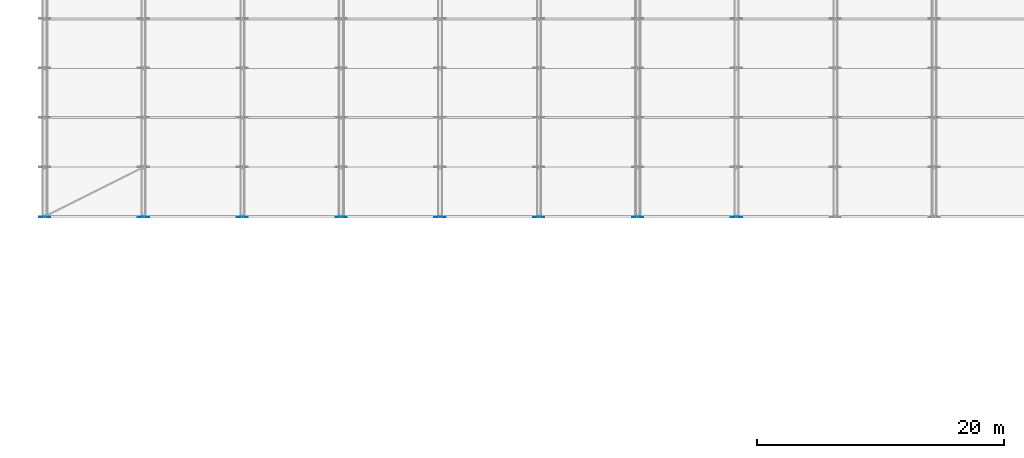
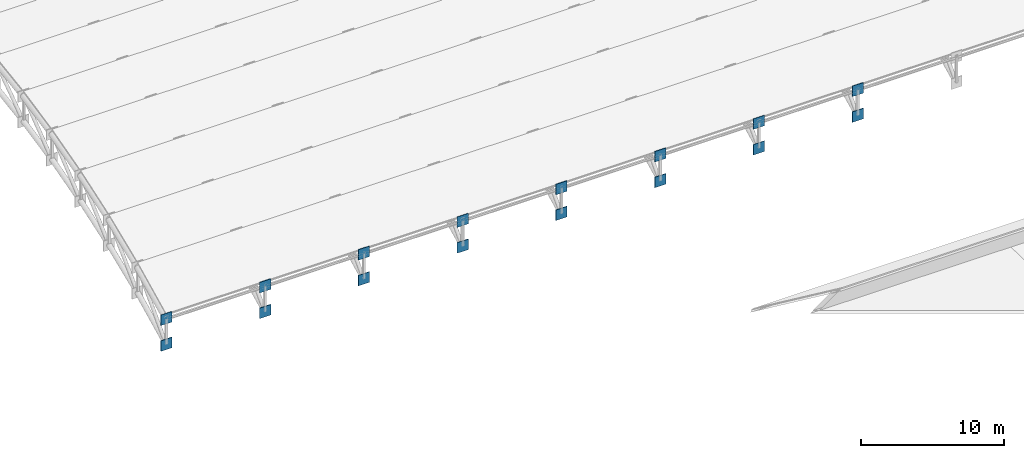
# One storey, part 57 of 98: 16 plates.
"""IFC4 building model written with IfcOpenShell, lengths in metres."""

from ifc_helpers import new_model, si_unit, direction, frame, origin, origin_2d, place, context, subcontext, project, spatial, rectangle, extrude, material, layer, layer_set, type_object, element, save


model = new_model("IFC4")

# Units and contexts
model_context = context("Model", 3, precision=1e-05, world=origin(), true_north=direction((0.0, 1.0)))
body_context = subcontext(model_context, "Body", "Model", "MODEL_VIEW")
ifc_project = project(units=[si_unit("LENGTHUNIT", "METRE"), si_unit("AREAUNIT", "SQUARE_METRE"), si_unit("VOLUMEUNIT", "CUBIC_METRE"), si_unit("PLANEANGLEUNIT", "RADIAN"), si_unit("MASSUNIT", "GRAM", prefix="KILO")], contexts=[model_context])

# Site, building, storey
site_placement = place(None, origin())
site = spatial("IfcSite", under=ifc_project, at=site_placement, CompositionType="ELEMENT")
building_placement = place(site_placement, origin())
building = spatial("IfcBuilding", under=site, at=building_placement, Name="Tlacozan Convention Centre", CompositionType="ELEMENT")
storey_placement = place(building_placement, frame((0.0, 0.0, 25.800048828125)))
storey = spatial("IfcBuildingStorey", under=building, at=storey_placement, Name="Roof", CompositionType="ELEMENT", Elevation=25.800048828125)

# Plates
ifc_material = material(Name="Steel ASTM A572 Grade 50", Category="steel")
ifc_layer = layer(ifc_material, 0.044921875)
ifc_layer_set = layer_set([ifc_layer], Name="Steel ASTM A572 Grade 50")
plate_type = type_object("IfcPlateType", Name="Arch Springing Node Gusset Plate", PredefinedType="SHEET", material=ifc_layer_set)
for number, where, z_axis, x_axis, name in (
    (1, (0.0, 61.976318359375, -11.061767578125), (0.0, 0.0, 1.0), (0.0, 1.0, 0.0), "Roof Gusset Cap Plate 1"),
    (2, (0.0, 61.976318359375, -13.26171875), (0.0, 0.0, 1.0), (0.0, 1.0, 0.0), "Roof Gusset Cap Plate 3"),
    (3, (8.0, 61.976318359375, -11.061767578125), (0.0, 0.0, 1.0), (0.0, 1.0, 0.0), "Roof Gusset Cap Plate 35"),
    (4, (8.0, 61.976318359375, -13.26171875), (0.0, 0.0, 1.0), (0.0, 1.0, 0.0), "Roof Gusset Cap Plate 37"),
    (5, (16.0, 61.976318359375, -11.061767578125), (0.0, 0.0, 1.0), (0.0, 1.0, 0.0), "Roof Gusset Cap Plate 69"),
    (6, (16.0, 61.976318359375, -13.26171875), (0.0, 0.0, 1.0), (0.0, 1.0, 0.0), "Roof Gusset Cap Plate 71"),
    (7, (24.0, 61.976318359375, -11.061767578125), (0.0, 0.0, 1.0), (0.0, 1.0, 0.0), "Roof Gusset Cap Plate 103"),
    (8, (24.0, 61.976318359375, -13.26171875), (0.0, 0.0, 1.0), (0.0, 1.0, 0.0), "Roof Gusset Cap Plate 105"),
    (9, (32.0, 61.976318359375, -11.061767578125), (0.0, 0.0, 1.0), (0.0, 1.0, 0.0), "Roof Gusset Cap Plate 137"),
    (10, (32.0, 61.976318359375, -13.26171875), (0.0, 0.0, 1.0), (0.0, 1.0, 0.0), "Roof Gusset Cap Plate 139"),
    (11, (40.0, 61.976318359375, -11.061767578125), (0.0, 0.0, 1.0), (0.0, 1.0, 0.0), "Roof Gusset Cap Plate 171"),
    (12, (40.0, 61.976318359375, -13.26171875), (0.0, 0.0, 1.0), (0.0, 1.0, 0.0), "Roof Gusset Cap Plate 173"),
    (13, (48.0, 61.976318359375, -11.061767578125), (0.0, 0.0, 1.0), (0.0, 1.0, 0.0), "Roof Gusset Cap Plate 205"),
    (14, (48.0, 61.976318359375, -13.26171875), (0.0, 0.0, 1.0), (0.0, 1.0, 0.0), "Roof Gusset Cap Plate 207"),
    (15, (56.0, 61.976318359375, -11.061767578125), (0.0, 0.0, 1.0), (0.0, 1.0, 0.0), "Roof Gusset Cap Plate 239"),
    (16, (56.0, 61.976318359375, -13.26171875), (0.0, 0.0, 1.0), (0.0, 1.0, 0.0), "Roof Gusset Cap Plate 241"),
):
    element("IfcPlate", number, at=place(storey_placement, frame(where, z_axis=z_axis, x_axis=x_axis)), inside=storey, type_object=plate_type, Name=name, PredefinedType="SHEET", context=body_context, shape_type="SweptSolid", body=[
        extrude(rectangle(XDim=0.044921875, YDim=0.89990234375, at=origin_2d()), origin(), (0.0, 0.0, 1.0), 0.89990234375),
    ])

save(model, "model.ifc")
